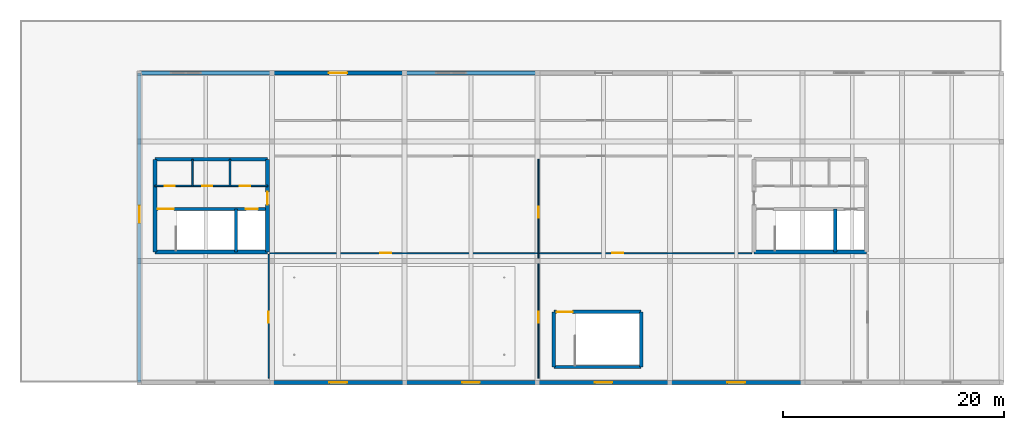
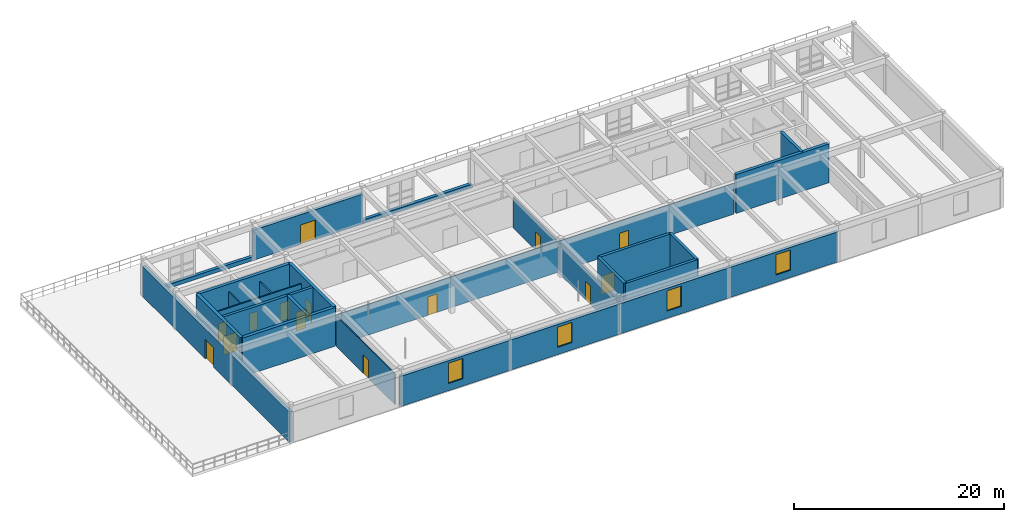
# One storey, part 12 of 15: 26 walls, 14 doors, 4 windows, 18 openings.
"""IFC4 building model written with IfcOpenShell, lengths in metres."""

from ifc_helpers import new_model, si_unit, derived_unit, direction, frame, frame_2d, origin, place, context, subcontext, project, spatial, rectangle, extrude, material, layer, layer_set, type_object, element, fill, save


model = new_model("IFC4")

# Units and contexts
model_context = context("Model", 3, precision=1e-05, world=origin(), true_north=direction((0.0, 1.0)))
body_context = subcontext(model_context, "Body", "Model", "MODEL_VIEW")
ifc_project = project(units=[si_unit("LENGTHUNIT", "METRE"), si_unit("AREAUNIT", "SQUARE_METRE"), si_unit("VOLUMEUNIT", "CUBIC_METRE"), si_unit("PLANEANGLEUNIT", "RADIAN"), si_unit("MASSUNIT", "GRAM", prefix="KILO"), derived_unit("THERMALTRANSMITTANCEUNIT", [(si_unit("POWERUNIT", "WATT"), 1), (si_unit("LENGTHUNIT", "METRE"), -2), (si_unit("THERMODYNAMICTEMPERATUREUNIT", "KELVIN"), -1)])], contexts=[model_context])

# Site, building, storey
site_placement = place(None, origin())
site = spatial("IfcSite", under=ifc_project, at=site_placement, CompositionType="ELEMENT")
building_placement = place(site_placement, origin())
building = spatial("IfcBuilding", under=site, at=building_placement, Name="Almenara Railside Exhibition Hall", CompositionType="ELEMENT")
storey_placement = place(building_placement, frame((0.0, 0.0, 16.199951171875)))
storey = spatial("IfcBuildingStorey", under=building, at=storey_placement, Name="L03", CompositionType="ELEMENT", Elevation=16.199951171875)

# Walls
ifc_material_1 = material(Name="Concrete C35/45", Category="concrete")
ifc_layer_1 = layer(ifc_material_1, 0.35009765625, Name="Concrete C35/45")
ifc_layer_set_1 = layer_set([ifc_layer_1], Name="Concrete C35/45")
wall_type_1 = type_object("IfcWallType", Name="Core Coupled Shear Wall 350mm C35/45", PredefinedType="SHEAR", material=ifc_layer_set_1)
for number, where, z_axis, x_axis, name in (
    (1, (127.39990234375, 11.800048828125, 0.0), (0.0, 0.0, 1.0), (1.0, 0.0, 0.0), "Interior wall 0136"),
    (2, (137.60009765625, 20.199951171875, 0.0), (0.0, 0.0, 1.0), (-1.0, 0.0, 0.0), "Interior wall 0137"),
):
    element("IfcWall", number, at=place(storey_placement, frame(where, z_axis=z_axis, x_axis=x_axis)), inside=storey, type_object=wall_type_1, Name=name, PredefinedType="SHEAR", context=body_context, shape_type="SweptSolid", body=[
        extrude(rectangle(XDim=10.2001953125, YDim=0.35009765625, at=frame_2d((5.10009765625, 0.0))), origin(), (0.0, 0.0, 1.0), 4.5),
    ])
wall_1_placement = place(storey_placement, frame((127.39990234375, 20.199951171875, 0.0), z_axis=(0.0, 0.0, 1.0), x_axis=(0.0, -1.0, 0.0)))
element("IfcWall", 3, at=wall_1_placement, inside=storey, type_object=wall_type_1, Name="Interior wall 0138", PredefinedType="SHEAR", context=body_context, shape_type="SweptSolid", body=[
    extrude(rectangle(XDim=8.39990234375, YDim=0.35009765625, at=frame_2d((4.199951171875, 0.0))), origin(), (0.0, 0.0, 1.0), 4.5),
])

# Wall, opening, door
wall_2_placement = place(storey_placement, frame((137.60009765625, 11.800048828125, 0.0), z_axis=(0.0, 0.0, 1.0), x_axis=(0.0, 1.0, 0.0)))
wall_2 = element("IfcWall", 4, at=wall_2_placement, inside=storey, type_object=wall_type_1, Name="Interior wall 0139", PredefinedType="SHEAR", context=body_context, shape_type="SweptSolid", body=[
    extrude(rectangle(XDim=8.39990234375, YDim=0.35009765625, at=frame_2d((4.199951171875, 0.0))), origin(), (0.0, 0.0, 1.0), 4.5),
])
opening_1_placement = place(wall_2_placement, frame((4.300048828125, 0.0, 0.0)))
opening_1 = element("IfcOpeningElement", 5, at=opening_1_placement, cuts=wall_2, Name="Opening FD-115", PredefinedType="OPENING", context=body_context, shape_type="SweptSolid", body=[
    extrude(rectangle(XDim=1.14990234375, YDim=2.14990234375, at=frame_2d((0.574951171875, 1.074951171875))), frame((0.0, 0.18505859375, 0.0), z_axis=(0.0, -1.0, 0.0), x_axis=(1.0, 0.0, 0.0)), (0.0, 0.0, 1.0), 0.3701171875),
])
ifc_material_2 = material(Name="Fire-rated iroko timber door", Category="wood")
door_type_1 = type_object("IfcDoorType", Name="Core Lobby Fire Door 1150x2150 EI60", OperationType="NOTDEFINED", PredefinedType="DOOR", material=ifc_material_2)
door_1_placement = place(opening_1_placement, origin())
door_1 = element("IfcDoor", 6, at=door_1_placement, inside=storey, type_object=door_type_1, Name="Interior door FD-115-091", OperationType="SINGLE_SWING_LEFT", OverallHeight=2.14990234375, OverallWidth=1.14990234375, PredefinedType="DOOR", context=body_context, shape_type="SweptSolid", body=[
    extrude(rectangle(XDim=1.14990234375, YDim=2.14990234375, at=frame_2d((0.574951171875, 1.074951171875))), frame((0.0, 0.02490234375, 0.0), z_axis=(0.0, -1.0, 0.0), x_axis=(1.0, 0.0, 0.0)), (0.0, 0.0, 1.0), 0.050048828125),
])
fill(opening_1, door_1)

# Walls
wall_3_placement = place(storey_placement, frame((181.60009765625, 11.800048828125, 0.0), z_axis=(0.0, 0.0, 1.0), x_axis=(1.0, 0.0, 0.0)))
element("IfcWall", 7, at=wall_3_placement, inside=storey, type_object=wall_type_1, Name="Interior wall 0181", PredefinedType="SHEAR", context=body_context, shape_type="SweptSolid", body=[
    extrude(rectangle(XDim=10.199951171875, YDim=0.35009765625, at=frame_2d((5.10009765625, 0.0))), origin(), (0.0, 0.0, 1.0), 4.5),
])
ifc_material_3 = material(Name="Ochre-white lime-rendered masonry over Concrete C35/45", Category="masonry")
ifc_layer_2 = layer(ifc_material_3, 0.3349609375, Name="Ochre-white lime-rendered masonry over Concrete C35/45")
ifc_layer_set_2 = layer_set([ifc_layer_2], Name="Ochre-white lime-rendered masonry over Concrete C35/45")
wall_type_2 = type_object("IfcWallType", Name="Exterior Belvedere Wall 335mm C35/45", PredefinedType="SOLIDWALL", material=ifc_layer_set_2)
wall_4_placement = place(storey_placement, frame((138.0, 28.0, 0.0), z_axis=(0.0, 0.0, 1.0), x_axis=(-1.0, 0.0, 0.0)))
element("IfcWall", 8, at=wall_4_placement, inside=storey, type_object=wall_type_2, Name="Exterior wall 0281", PredefinedType="SOLIDWALL", context=body_context, shape_type="SweptSolid", body=[
    extrude(rectangle(XDim=12.0, YDim=0.3349609375, at=frame_2d((6.0, 0.0))), origin(), (0.0, 0.0, 1.0), 0.449951171875),
])

# Wall, opening, window
wall_5_placement = place(storey_placement, frame((138.0, 0.0, 0.0), z_axis=(0.0, 0.0, 1.0), x_axis=(1.0, 0.0, 0.0)))
wall_5 = element("IfcWall", 9, at=wall_5_placement, inside=storey, type_object=wall_type_2, Name="Exterior wall 0282", PredefinedType="SOLIDWALL", context=body_context, shape_type="SweptSolid", body=[
    extrude(rectangle(XDim=12.0, YDim=0.3349609375, at=frame_2d((6.0, 0.0))), origin(), (0.0, 0.0, 1.0), 3.5),
])
opening_2_placement = place(wall_5_placement, frame((5.199951171875, 0.0, 0.85009765625)))
opening_2 = element("IfcOpeningElement", 10, at=opening_2_placement, cuts=wall_5, Name="Opening W-07", PredefinedType="OPENING", context=body_context, shape_type="SweptSolid", body=[
    extrude(rectangle(XDim=1.60009765625, YDim=2.35009765625, at=frame_2d((0.800048828125, 1.175048828125))), frame((0.0, 0.177490234375, 0.0), z_axis=(0.0, -1.0, 0.0), x_axis=(1.0, 0.0, 0.0)), (0.0, 0.0, 1.0), 0.35498046875),
])
ifc_material_4 = material(Name="Bronze-anodised aluminium and low-E double glazing", Category="aluminium")
window_type = type_object("IfcWindowType", Name="Belvedere Casement Window 1600x2350", PartitioningType="DOUBLE_PANEL_VERTICAL", PredefinedType="WINDOW", material=ifc_material_4)
window_1_placement = place(opening_2_placement, origin())
window_1 = element("IfcWindow", 11, at=window_1_placement, inside=storey, type_object=window_type, Name="Window 0124", OverallHeight=2.35009765625, OverallWidth=1.60009765625, PartitioningType="DOUBLE_PANEL_VERTICAL", PredefinedType="WINDOW", context=body_context, shape_type="SweptSolid", body=[
    extrude(rectangle(XDim=1.60009765625, YDim=2.35009765625, at=frame_2d((0.800048828125, 1.175048828125))), frame((0.0, 0.030029296875, 0.0), z_axis=(0.0, -1.0, 0.0), x_axis=(1.0, 0.0, 0.0)), (0.0, 0.0, 1.0), 0.06005859375),
])
fill(opening_2, window_1)

# Wall, opening, door
wall_6_placement = place(storey_placement, frame((150.0, 28.0, 0.0), z_axis=(0.0, 0.0, 1.0), x_axis=(-1.0, 0.0, 0.0)))
wall_6 = element("IfcWall", 12, at=wall_6_placement, inside=storey, type_object=wall_type_2, Name="Exterior wall 0283", PredefinedType="SOLIDWALL", context=body_context, shape_type="SweptSolid", body=[
    extrude(rectangle(XDim=12.0, YDim=0.3349609375, at=frame_2d((6.0, 0.0))), origin(), (0.0, 0.0, 1.0), 3.5),
])
opening_3_placement = place(wall_6_placement, frame((5.199951171875, 0.0, 0.0)))
opening_3 = element("IfcOpeningElement", 13, at=opening_3_placement, cuts=wall_6, Name="Opening TD-03", PredefinedType="OPENING", context=body_context, shape_type="SweptSolid", body=[
    extrude(rectangle(XDim=1.64990234375, YDim=2.300048828125, at=frame_2d((0.824951171875, 1.14990234375))), frame((0.0, 0.177490234375, 0.0), z_axis=(0.0, -1.0, 0.0), x_axis=(1.0, 0.0, 0.0)), (0.0, 0.0, 1.0), 0.35498046875),
])
ifc_material_5 = material(Name="Bronze-anodised glazed terrace door")
door_type_2 = type_object("IfcDoorType", Name="Roof Garden Glazed Terrace Door 1650x2300", OperationType="NOTDEFINED", PredefinedType="DOOR", material=ifc_material_5)
door_2_placement = place(opening_3_placement, origin())
door_2 = element("IfcDoor", 14, at=door_2_placement, inside=storey, type_object=door_type_2, Name="Exterior door TD-03", OperationType="DOUBLE_DOOR_SINGLE_SWING", OverallHeight=2.300048828125, OverallWidth=1.64990234375, PredefinedType="DOOR", context=body_context, shape_type="SweptSolid", body=[
    extrude(rectangle(XDim=1.64990234375, YDim=2.300048828125, at=frame_2d((0.824951171875, 1.14990234375))), frame((0.0, 0.02490234375, 0.0), z_axis=(0.0, -1.0, 0.0), x_axis=(1.0, 0.0, 0.0)), (0.0, 0.0, 1.0), 0.050048828125),
])
fill(opening_3, door_2)

# Wall, opening, window
wall_7_placement = place(storey_placement, frame((150.0, 0.0, 0.0), z_axis=(0.0, 0.0, 1.0), x_axis=(1.0, 0.0, 0.0)))
wall_7 = element("IfcWall", 15, at=wall_7_placement, inside=storey, type_object=wall_type_2, Name="Exterior wall 0284", PredefinedType="SOLIDWALL", context=body_context, shape_type="SweptSolid", body=[
    extrude(rectangle(XDim=12.0, YDim=0.3349609375, at=frame_2d((6.0, 0.0))), origin(), (0.0, 0.0, 1.0), 3.5),
])
opening_4_placement = place(wall_7_placement, frame((5.199951171875, 0.0, 0.85009765625)))
opening_4 = element("IfcOpeningElement", 16, at=opening_4_placement, cuts=wall_7, Name="Opening W-07", PredefinedType="OPENING", context=body_context, shape_type="SweptSolid", body=[
    extrude(rectangle(XDim=1.60009765625, YDim=2.35009765625, at=frame_2d((0.800048828125, 1.175048828125))), frame((0.0, 0.177490234375, 0.0), z_axis=(0.0, -1.0, 0.0), x_axis=(1.0, 0.0, 0.0)), (0.0, 0.0, 1.0), 0.35498046875),
])
window_2_placement = place(opening_4_placement, origin())
window_2 = element("IfcWindow", 17, at=window_2_placement, inside=storey, type_object=window_type, Name="Window 0125", OverallHeight=2.35009765625, OverallWidth=1.60009765625, PartitioningType="DOUBLE_PANEL_VERTICAL", PredefinedType="WINDOW", context=body_context, shape_type="SweptSolid", body=[
    extrude(rectangle(XDim=1.60009765625, YDim=2.35009765625, at=frame_2d((0.800048828125, 1.175048828125))), frame((0.0, 0.030029296875, 0.0), z_axis=(0.0, -1.0, 0.0), x_axis=(1.0, 0.0, 0.0)), (0.0, 0.0, 1.0), 0.06005859375),
])
fill(opening_4, window_2)

# Wall
wall_8_placement = place(storey_placement, frame((162.0, 28.0, 0.0), z_axis=(0.0, 0.0, 1.0), x_axis=(-1.0, 0.0, 0.0)))
element("IfcWall", 18, at=wall_8_placement, inside=storey, type_object=wall_type_2, Name="Exterior wall 0285", PredefinedType="SOLIDWALL", context=body_context, shape_type="SweptSolid", body=[
    extrude(rectangle(XDim=12.0, YDim=0.3349609375, at=frame_2d((6.0, 0.0))), origin(), (0.0, 0.0, 1.0), 0.449951171875),
])

# Wall, opening, window
wall_9_placement = place(storey_placement, frame((162.0, 0.0, 0.0), z_axis=(0.0, 0.0, 1.0), x_axis=(1.0, 0.0, 0.0)))
wall_9 = element("IfcWall", 19, at=wall_9_placement, inside=storey, type_object=wall_type_2, Name="Exterior wall 0286", PredefinedType="SOLIDWALL", context=body_context, shape_type="SweptSolid", body=[
    extrude(rectangle(XDim=12.0, YDim=0.3349609375, at=frame_2d((6.0, 0.0))), origin(), (0.0, 0.0, 1.0), 3.5),
])
opening_5_placement = place(wall_9_placement, frame((5.199951171875, 0.0, 0.85009765625)))
opening_5 = element("IfcOpeningElement", 20, at=opening_5_placement, cuts=wall_9, Name="Opening W-07", PredefinedType="OPENING", context=body_context, shape_type="SweptSolid", body=[
    extrude(rectangle(XDim=1.60009765625, YDim=2.35009765625, at=frame_2d((0.800048828125, 1.175048828125))), frame((0.0, 0.177490234375, 0.0), z_axis=(0.0, -1.0, 0.0), x_axis=(1.0, 0.0, 0.0)), (0.0, 0.0, 1.0), 0.35498046875),
])
window_3_placement = place(opening_5_placement, origin())
window_3 = element("IfcWindow", 21, at=window_3_placement, inside=storey, type_object=window_type, Name="Window 0126", OverallHeight=2.35009765625, OverallWidth=1.60009765625, PartitioningType="DOUBLE_PANEL_VERTICAL", PredefinedType="WINDOW", context=body_context, shape_type="SweptSolid", body=[
    extrude(rectangle(XDim=1.60009765625, YDim=2.35009765625, at=frame_2d((0.800048828125, 1.175048828125))), frame((0.0, 0.030029296875, 0.0), z_axis=(0.0, -1.0, 0.0), x_axis=(1.0, 0.0, 0.0)), (0.0, 0.0, 1.0), 0.06005859375),
])
fill(opening_5, window_3)

wall_10_placement = place(storey_placement, frame((174.0, 0.0, 0.0), z_axis=(0.0, 0.0, 1.0), x_axis=(1.0, 0.0, 0.0)))
wall_10 = element("IfcWall", 22, at=wall_10_placement, inside=storey, type_object=wall_type_2, Name="Exterior wall 0288", PredefinedType="SOLIDWALL", context=body_context, shape_type="SweptSolid", body=[
    extrude(rectangle(XDim=12.0, YDim=0.3349609375, at=frame_2d((6.0, 0.0))), origin(), (0.0, 0.0, 1.0), 3.5),
])
opening_6_placement = place(wall_10_placement, frame((5.199951171875, 0.0, 0.85009765625)))
opening_6 = element("IfcOpeningElement", 23, at=opening_6_placement, cuts=wall_10, Name="Opening W-07", PredefinedType="OPENING", context=body_context, shape_type="SweptSolid", body=[
    extrude(rectangle(XDim=1.60009765625, YDim=2.35009765625, at=frame_2d((0.800048828125, 1.175048828125))), frame((0.0, 0.177490234375, 0.0), z_axis=(0.0, -1.0, 0.0), x_axis=(1.0, 0.0, 0.0)), (0.0, 0.0, 1.0), 0.35498046875),
])
window_4_placement = place(opening_6_placement, origin())
window_4 = element("IfcWindow", 24, at=window_4_placement, inside=storey, type_object=window_type, Name="Window 0127", OverallHeight=2.35009765625, OverallWidth=1.60009765625, PartitioningType="DOUBLE_PANEL_VERTICAL", PredefinedType="WINDOW", context=body_context, shape_type="SweptSolid", body=[
    extrude(rectangle(XDim=1.60009765625, YDim=2.35009765625, at=frame_2d((0.800048828125, 1.175048828125))), frame((0.0, 0.030029296875, 0.0), z_axis=(0.0, -1.0, 0.0), x_axis=(1.0, 0.0, 0.0)), (0.0, 0.0, 1.0), 0.06005859375),
])
fill(opening_6, window_4)

# Wall, opening, door
wall_11_placement = place(storey_placement, frame((126.0, 28.0, 0.0), z_axis=(0.0, 0.0, 1.0), x_axis=(0.0, -1.0, 0.0)))
wall_11 = element("IfcWall", 25, at=wall_11_placement, inside=storey, type_object=wall_type_2, Name="Exterior wall 0294", PredefinedType="SOLIDWALL", context=body_context, shape_type="SweptSolid", body=[
    extrude(rectangle(XDim=28.0, YDim=0.3349609375, at=frame_2d((14.0, 0.0))), origin(), (0.0, 0.0, 1.0), 3.5),
])
opening_7_placement = place(wall_11_placement, frame((12.0, 0.0, 0.0)))
opening_7 = element("IfcOpeningElement", 26, at=opening_7_placement, cuts=wall_11, Name="Opening TD-06", PredefinedType="OPENING", context=body_context, shape_type="SweptSolid", body=[
    extrude(rectangle(XDim=1.550048828125, YDim=2.25, at=frame_2d((0.77490234375, 1.125))), frame((0.0, 0.177490234375, 0.0), z_axis=(0.0, -1.0, 0.0), x_axis=(1.0, 0.0, 0.0)), (0.0, 0.0, 1.0), 0.35498046875),
])
door_type_3 = type_object("IfcDoorType", Name="Belvedere Terrace Double Door 1550x2250", OperationType="NOTDEFINED", PredefinedType="DOOR", material=ifc_material_5)
door_3_placement = place(opening_7_placement, origin())
door_3 = element("IfcDoor", 27, at=door_3_placement, inside=storey, type_object=door_type_3, Name="Exterior door TD-06", OperationType="DOUBLE_DOOR_SINGLE_SWING", OverallHeight=2.25, OverallWidth=1.550048828125, PredefinedType="DOOR", context=body_context, shape_type="SweptSolid", body=[
    extrude(rectangle(XDim=1.550048828125, YDim=2.25, at=frame_2d((0.77490234375, 1.125))), frame((0.0, 0.02490234375, 0.0), z_axis=(0.0, -1.0, 0.0), x_axis=(1.0, 0.0, 0.0)), (0.0, 0.0, 1.0), 0.050048828125),
])
fill(opening_7, door_3)

# Wall, openings, doors
ifc_material_6 = material(Name="Timber and laminated glass partition", Category="wood")
ifc_layer_3 = layer(ifc_material_6, 0.114990234375, Name="Timber and laminated glass partition")
ifc_layer_set_3 = layer_set([ifc_layer_3], Name="Timber and laminated glass partition")
wall_type_3 = type_object("IfcWallType", Name="Office Glazed Partition 115mm", PredefinedType="PARTITIONING", material=ifc_layer_set_3)
wall_12_placement = place(storey_placement, frame((162.10009765625, 0.39990234375, 0.0), z_axis=(0.0, 0.0, 1.0), x_axis=(0.0, 1.0, 0.0)))
wall_12 = element("IfcWall", 28, at=wall_12_placement, inside=storey, type_object=wall_type_3, Name="Interior wall 0392", PredefinedType="PARTITIONING", context=body_context, shape_type="SweptSolid", body=[
    extrude(rectangle(XDim=19.800048828125, YDim=0.114990234375, at=frame_2d((9.89990234375, 0.0))), origin(), (0.0, 0.0, 1.0), 3.56494140625),
])
opening_8_placement = place(wall_12_placement, frame((5.0, 0.0, 0.0)))
opening_8 = element("IfcOpeningElement", 29, at=opening_8_placement, cuts=wall_12, Name="Opening ID-10", PredefinedType="OPENING", context=body_context, shape_type="SweptSolid", body=[
    extrude(rectangle(XDim=1.0, YDim=2.14990234375, at=frame_2d((0.5, 1.074951171875))), frame((0.0, 0.0673828125, 0.0), z_axis=(0.0, -1.0, 0.0), x_axis=(1.0, 0.0, 0.0)), (0.0, 0.0, 1.0), 0.135009765625),
])
opening_9_placement = place(wall_12_placement, frame((14.5, 0.0, 0.0)))
opening_9 = element("IfcOpeningElement", 30, at=opening_9_placement, cuts=wall_12, Name="Opening ID-10", PredefinedType="OPENING", context=body_context, shape_type="SweptSolid", body=[
    extrude(rectangle(XDim=1.0, YDim=2.14990234375, at=frame_2d((0.5, 1.074951171875))), frame((0.0, 0.0673828125, 0.0), z_axis=(0.0, -1.0, 0.0), x_axis=(1.0, 0.0, 0.0)), (0.0, 0.0, 1.0), 0.135009765625),
])
ifc_material_7 = material(Name="Iroko hardwood single door", Category="wood")
door_type_4 = type_object("IfcDoorType", Name="Standard Room Single Door 1000x2150", OperationType="NOTDEFINED", PredefinedType="DOOR", material=ifc_material_7)
door_4_placement = place(opening_8_placement, origin())
door_4 = element("IfcDoor", 31, at=door_4_placement, inside=storey, type_object=door_type_4, Name="Interior door ID-10-272", OperationType="SINGLE_SWING_LEFT", OverallHeight=2.14990234375, OverallWidth=1.0, PredefinedType="DOOR", context=body_context, shape_type="SweptSolid", body=[
    extrude(rectangle(XDim=1.0, YDim=2.14990234375, at=frame_2d((0.5, 1.074951171875))), frame((0.0, 0.02490234375, 0.0), z_axis=(0.0, -1.0, 0.0), x_axis=(1.0, 0.0, 0.0)), (0.0, 0.0, 1.0), 0.050048828125),
])
fill(opening_8, door_4)
door_5_placement = place(opening_9_placement, origin())
door_5 = element("IfcDoor", 32, at=door_5_placement, inside=storey, type_object=door_type_4, Name="Interior door ID-10-273", OperationType="SINGLE_SWING_RIGHT", OverallHeight=2.14990234375, OverallWidth=1.0, PredefinedType="DOOR", context=body_context, shape_type="SweptSolid", body=[
    extrude(rectangle(XDim=1.0, YDim=2.14990234375, at=frame_2d((0.5, 1.074951171875))), frame((0.0, 0.02490234375, 0.0), z_axis=(0.0, -1.0, 0.0), x_axis=(1.0, 0.0, 0.0)), (0.0, 0.0, 1.0), 0.050048828125),
])
fill(opening_9, door_5)

wall_13_placement = place(storey_placement, frame((137.800048828125, 11.699951171875, 0.0), z_axis=(0.0, 0.0, 1.0), x_axis=(1.0, 0.0, 0.0)))
wall_13 = element("IfcWall", 33, at=wall_13_placement, inside=storey, type_object=wall_type_3, Name="Interior wall 0393", PredefinedType="PARTITIONING", context=body_context, shape_type="SweptSolid", body=[
    extrude(rectangle(XDim=43.599853515625, YDim=0.114990234375, at=frame_2d((21.7998046875, 0.0))), origin(), (0.0, 0.0, 1.0), 3.56494140625),
])
opening_10_placement = place(wall_13_placement, frame((10.0, 0.0, 0.0)))
opening_10 = element("IfcOpeningElement", 34, at=opening_10_placement, cuts=wall_13, Name="Opening ID-10", PredefinedType="OPENING", context=body_context, shape_type="SweptSolid", body=[
    extrude(rectangle(XDim=1.0, YDim=2.14990234375, at=frame_2d((0.5, 1.074951171875))), frame((0.0, 0.0673828125, 0.0), z_axis=(0.0, -1.0, 0.0), x_axis=(1.0, 0.0, 0.0)), (0.0, 0.0, 1.0), 0.135009765625),
])
opening_11_placement = place(wall_13_placement, frame((31.0, 0.0, 0.0)))
opening_11 = element("IfcOpeningElement", 35, at=opening_11_placement, cuts=wall_13, Name="Opening ID-10", PredefinedType="OPENING", context=body_context, shape_type="SweptSolid", body=[
    extrude(rectangle(XDim=1.0, YDim=2.14990234375, at=frame_2d((0.5, 1.074951171875))), frame((0.0, 0.0673828125, 0.0), z_axis=(0.0, -1.0, 0.0), x_axis=(1.0, 0.0, 0.0)), (0.0, 0.0, 1.0), 0.135009765625),
])
door_6_placement = place(opening_10_placement, origin())
door_6 = element("IfcDoor", 36, at=door_6_placement, inside=storey, type_object=door_type_4, Name="Interior door ID-10-274", OperationType="SINGLE_SWING_LEFT", OverallHeight=2.14990234375, OverallWidth=1.0, PredefinedType="DOOR", context=body_context, shape_type="SweptSolid", body=[
    extrude(rectangle(XDim=1.0, YDim=2.14990234375, at=frame_2d((0.5, 1.074951171875))), frame((0.0, 0.02490234375, 0.0), z_axis=(0.0, -1.0, 0.0), x_axis=(1.0, 0.0, 0.0)), (0.0, 0.0, 1.0), 0.050048828125),
])
fill(opening_10, door_6)
door_7_placement = place(opening_11_placement, origin())
door_7 = element("IfcDoor", 37, at=door_7_placement, inside=storey, type_object=door_type_4, Name="Interior door ID-10-275", OperationType="SINGLE_SWING_RIGHT", OverallHeight=2.14990234375, OverallWidth=1.0, PredefinedType="DOOR", context=body_context, shape_type="SweptSolid", body=[
    extrude(rectangle(XDim=1.0, YDim=2.14990234375, at=frame_2d((0.5, 1.074951171875))), frame((0.0, 0.02490234375, 0.0), z_axis=(0.0, -1.0, 0.0), x_axis=(1.0, 0.0, 0.0)), (0.0, 0.0, 1.0), 0.050048828125),
])
fill(opening_11, door_7)

# Wall, opening, door
wall_14_placement = place(storey_placement, frame((137.699951171875, 0.39990234375, 0.0), z_axis=(0.0, 0.0, 1.0), x_axis=(0.0, 1.0, 0.0)))
wall_14 = element("IfcWall", 38, at=wall_14_placement, inside=storey, type_object=wall_type_3, Name="Interior wall 0395", PredefinedType="PARTITIONING", context=body_context, shape_type="SweptSolid", body=[
    extrude(rectangle(XDim=11.2001953125, YDim=0.114990234375, at=frame_2d((5.60009765625, 0.0))), origin(), (0.0, 0.0, 1.0), 3.56494140625),
])
opening_12_placement = place(wall_14_placement, frame((5.0, 0.0, 0.0)))
opening_12 = element("IfcOpeningElement", 39, at=opening_12_placement, cuts=wall_14, Name="Opening ID-10", PredefinedType="OPENING", context=body_context, shape_type="SweptSolid", body=[
    extrude(rectangle(XDim=1.0, YDim=2.14990234375, at=frame_2d((0.5, 1.074951171875))), frame((0.0, 0.0673828125, 0.0), z_axis=(0.0, -1.0, 0.0), x_axis=(1.0, 0.0, 0.0)), (0.0, 0.0, 1.0), 0.135009765625),
])
door_8_placement = place(opening_12_placement, origin())
door_8 = element("IfcDoor", 40, at=door_8_placement, inside=storey, type_object=door_type_4, Name="Interior door ID-10-277", OperationType="SINGLE_SWING_RIGHT", OverallHeight=2.14990234375, OverallWidth=1.0, PredefinedType="DOOR", context=body_context, shape_type="SweptSolid", body=[
    extrude(rectangle(XDim=1.0, YDim=2.14990234375, at=frame_2d((0.5, 1.074951171875))), frame((0.0, 0.02490234375, 0.0), z_axis=(0.0, -1.0, 0.0), x_axis=(1.0, 0.0, 0.0)), (0.0, 0.0, 1.0), 0.050048828125),
])
fill(opening_12, door_8)

# Wall, openings, doors
ifc_material_8 = material(Name="Moisture-resistant tiled masonry partition", Category="masonry")
ifc_layer_4 = layer(ifc_material_8, 0.139892578125, Name="Moisture-resistant tiled masonry partition")
ifc_layer_set_4 = layer_set([ifc_layer_4], Name="Moisture-resistant tiled masonry partition")
wall_type_4 = type_object("IfcWallType", Name="Sanitary Wet-Wall Partition 140mm", PredefinedType="PARTITIONING", material=ifc_layer_set_4)
wall_15_placement = place(storey_placement, frame((127.39990234375, 17.800048828125, 0.0), z_axis=(0.0, 0.0, 1.0), x_axis=(1.0, 0.0, 0.0)))
wall_15 = element("IfcWall", 41, at=wall_15_placement, inside=storey, type_object=wall_type_4, Name="Interior wall 0142", PredefinedType="PARTITIONING", context=body_context, shape_type="SweptSolid", body=[
    extrude(rectangle(XDim=10.2001953125, YDim=0.139892578125, at=frame_2d((5.10009765625, 0.0))), origin(), (0.0, 0.0, 1.0), 3.60009765625),
])
opening_13_placement = place(wall_15_placement, frame((0.89990234375, 0.0, 0.0)))
opening_13 = element("IfcOpeningElement", 42, at=opening_13_placement, cuts=wall_15, Name="Opening ID-09", PredefinedType="OPENING", context=body_context, shape_type="SweptSolid", body=[
    extrude(rectangle(XDim=0.89990234375, YDim=2.10009765625, at=frame_2d((0.449951171875, 1.050048828125))), frame((0.0, 0.079833984375, 0.0), z_axis=(0.0, -1.0, 0.0), x_axis=(1.0, 0.0, 0.0)), (0.0, 0.0, 1.0), 0.159912109375),
])
opening_14_placement = place(wall_15_placement, frame((4.300048828125, 0.0, 0.0)))
opening_14 = element("IfcOpeningElement", 43, at=opening_14_placement, cuts=wall_15, Name="Opening ID-09", PredefinedType="OPENING", context=body_context, shape_type="SweptSolid", body=[
    extrude(rectangle(XDim=0.89990234375, YDim=2.10009765625, at=frame_2d((0.449951171875, 1.050048828125))), frame((0.0, 0.079833984375, 0.0), z_axis=(0.0, -1.0, 0.0), x_axis=(1.0, 0.0, 0.0)), (0.0, 0.0, 1.0), 0.159912109375),
])
opening_15_placement = place(wall_15_placement, frame((7.699951171875, 0.0, 0.0)))
opening_15 = element("IfcOpeningElement", 44, at=opening_15_placement, cuts=wall_15, Name="Opening ID-095", PredefinedType="OPENING", context=body_context, shape_type="SweptSolid", body=[
    extrude(rectangle(XDim=0.949951171875, YDim=2.10009765625, at=frame_2d((0.47509765625, 1.050048828125))), frame((0.0, 0.079833984375, 0.0), z_axis=(0.0, -1.0, 0.0), x_axis=(1.0, 0.0, 0.0)), (0.0, 0.0, 1.0), 0.159912109375),
])
ifc_material_9 = material(Name="Moisture-resistant hardwood door", Category="wood")
door_type_5 = type_object("IfcDoorType", Name="Accessible Toilet Door 950x2100", OperationType="NOTDEFINED", PredefinedType="DOOR", material=ifc_material_9)
door_9_placement = place(opening_15_placement, origin())
door_9 = element("IfcDoor", 45, at=door_9_placement, inside=storey, type_object=door_type_5, Name="Interior door ID-095-096", OperationType="SINGLE_SWING_RIGHT", OverallHeight=2.10009765625, OverallWidth=0.949951171875, PredefinedType="DOOR", context=body_context, shape_type="SweptSolid", body=[
    extrude(rectangle(XDim=0.949951171875, YDim=2.10009765625, at=frame_2d((0.47509765625, 1.050048828125))), frame((0.0, 0.02490234375, 0.0), z_axis=(0.0, -1.0, 0.0), x_axis=(1.0, 0.0, 0.0)), (0.0, 0.0, 1.0), 0.050048828125),
])
fill(opening_15, door_9)
door_type_6 = type_object("IfcDoorType", Name="Sanitary Lobby Single Door 900x2100", OperationType="NOTDEFINED", PredefinedType="DOOR", material=ifc_material_9)
door_10_placement = place(opening_13_placement, origin())
door_10 = element("IfcDoor", 46, at=door_10_placement, inside=storey, type_object=door_type_6, Name="Interior door ID-09-094", OperationType="SINGLE_SWING_RIGHT", OverallHeight=2.10009765625, OverallWidth=0.89990234375, PredefinedType="DOOR", context=body_context, shape_type="SweptSolid", body=[
    extrude(rectangle(XDim=0.89990234375, YDim=2.10009765625, at=frame_2d((0.449951171875, 1.050048828125))), frame((0.0, 0.02490234375, 0.0), z_axis=(0.0, -1.0, 0.0), x_axis=(1.0, 0.0, 0.0)), (0.0, 0.0, 1.0), 0.050048828125),
])
fill(opening_13, door_10)
door_11_placement = place(opening_14_placement, origin())
door_11 = element("IfcDoor", 47, at=door_11_placement, inside=storey, type_object=door_type_6, Name="Interior door ID-09-095", OperationType="SINGLE_SWING_LEFT", OverallHeight=2.10009765625, OverallWidth=0.89990234375, PredefinedType="DOOR", context=body_context, shape_type="SweptSolid", body=[
    extrude(rectangle(XDim=0.89990234375, YDim=2.10009765625, at=frame_2d((0.449951171875, 1.050048828125))), frame((0.0, 0.02490234375, 0.0), z_axis=(0.0, -1.0, 0.0), x_axis=(1.0, 0.0, 0.0)), (0.0, 0.0, 1.0), 0.050048828125),
])
fill(opening_14, door_11)

# Walls
for number, where, z_axis, x_axis, name in (
    (48, (130.800048828125, 17.800048828125, 0.0), (0.0, 0.0, 1.0), (0.0, 1.0, 0.0), "Interior wall 0143"),
    (49, (134.199951171875, 17.800048828125, 0.0), (0.0, 0.0, 1.0), (0.0, 1.0, 0.0), "Interior wall 0144"),
):
    element("IfcWall", number, at=place(storey_placement, frame(where, z_axis=z_axis, x_axis=x_axis)), inside=storey, type_object=wall_type_4, Name=name, PredefinedType="PARTITIONING", context=body_context, shape_type="SweptSolid", body=[
        extrude(rectangle(XDim=2.39990234375, YDim=0.139892578125, at=frame_2d((1.199951171875, 0.0))), origin(), (0.0, 0.0, 1.0), 3.60009765625),
    ])

# Wall, openings, doors
ifc_layer_5 = layer(ifc_material_1, 0.300048828125, Name="Concrete C35/45")
ifc_layer_set_5 = layer_set([ifc_layer_5], Name="Concrete C35/45")
wall_type_5 = type_object("IfcWallType", Name="Stair and Lift Shaft Wall 300mm C35/45", PredefinedType="SHEAR", material=ifc_layer_set_5)
wall_16_placement = place(storey_placement, frame((127.39990234375, 15.699951171875, 0.0), z_axis=(0.0, 0.0, 1.0), x_axis=(1.0, 0.0, 0.0)))
wall_16 = element("IfcWall", 50, at=wall_16_placement, inside=storey, type_object=wall_type_5, Name="Interior wall 0140", PredefinedType="SHEAR", context=body_context, shape_type="SweptSolid", body=[
    extrude(rectangle(XDim=10.2001953125, YDim=0.300048828125, at=frame_2d((5.10009765625, 0.0))), origin(), (0.0, 0.0, 1.0), 4.5),
])
opening_16_placement = place(wall_16_placement, frame((0.280029296875, 0.0, 0.0)))
opening_16 = element("IfcOpeningElement", 51, at=opening_16_placement, cuts=wall_16, Name="Opening FD-145", PredefinedType="OPENING", context=body_context, shape_type="SweptSolid", body=[
    extrude(rectangle(XDim=1.449951171875, YDim=2.14990234375, at=frame_2d((0.72509765625, 1.074951171875))), frame((0.0, 0.159912109375, 0.0), z_axis=(0.0, -1.0, 0.0), x_axis=(1.0, 0.0, 0.0)), (0.0, 0.0, 1.0), 0.320068359375),
])
opening_17_placement = place(wall_16_placement, frame((8.22509765625, 0.0, 0.0)))
opening_17 = element("IfcOpeningElement", 52, at=opening_17_placement, cuts=wall_16, Name="Opening LD-11-C5", PredefinedType="OPENING", context=body_context, shape_type="SweptSolid", body=[
    extrude(rectangle(XDim=1.10009765625, YDim=2.14990234375, at=frame_2d((0.550048828125, 1.074951171875))), frame((0.0, 0.159912109375, 0.0), z_axis=(0.0, -1.0, 0.0), x_axis=(1.0, 0.0, 0.0)), (0.0, 0.0, 1.0), 0.320068359375),
])
ifc_material_10 = material(Name="Steel-framed fire-rated timber door", Category="steel")
door_type_7 = type_object("IfcDoorType", Name="Fire Escape Stair Door 1450x2150 EI60", OperationType="NOTDEFINED", PredefinedType="DOOR", material=ifc_material_10)
door_12_placement = place(opening_16_placement, origin())
door_12 = element("IfcDoor", 53, at=door_12_placement, inside=storey, type_object=door_type_7, Name="Interior door FD-145-092", OperationType="DOUBLE_DOOR_SINGLE_SWING", OverallHeight=2.14990234375, OverallWidth=1.449951171875, PredefinedType="DOOR", context=body_context, shape_type="SweptSolid", body=[
    extrude(rectangle(XDim=1.449951171875, YDim=2.14990234375, at=frame_2d((0.72509765625, 1.074951171875))), frame((0.0, 0.02490234375, 0.0), z_axis=(0.0, -1.0, 0.0), x_axis=(1.0, 0.0, 0.0)), (0.0, 0.0, 1.0), 0.050048828125),
])
fill(opening_16, door_12)
ifc_material_11 = material(Name="Brushed bronze-stainless steel sliding landing door", Category="steel")
door_type_8 = type_object("IfcDoorType", Name="Passenger Lift Sliding Landing Door 1100x2150", OperationType="DOUBLE_DOOR_SLIDING", PredefinedType="DOOR", material=ifc_material_11)
door_13_placement = place(opening_17_placement, origin())
door_13 = element("IfcDoor", 54, at=door_13_placement, inside=storey, type_object=door_type_8, Name="Interior door LD-11-C5-093", OperationType="DOUBLE_DOOR_SLIDING", OverallHeight=2.14990234375, OverallWidth=1.10009765625, PredefinedType="DOOR", context=body_context, shape_type="SweptSolid", body=[
    extrude(rectangle(XDim=1.10009765625, YDim=2.14990234375, at=frame_2d((0.550048828125, 1.074951171875))), frame((0.0, 0.02490234375, 0.0), z_axis=(0.0, -1.0, 0.0), x_axis=(1.0, 0.0, 0.0)), (0.0, 0.0, 1.0), 0.050048828125),
])
fill(opening_17, door_13)

# Walls
for number, where, z_axis, x_axis, name in (
    (55, (134.75, 11.800048828125, 0.0), (0.0, 0.0, 1.0), (0.0, 1.0, 0.0), "Interior wall 0141"),
    (56, (188.949951171875, 11.800048828125, 0.0), (0.0, 0.0, 1.0), (0.0, 1.0, 0.0), "Interior wall 0186"),
):
    element("IfcWall", number, at=place(storey_placement, frame(where, z_axis=z_axis, x_axis=x_axis)), inside=storey, type_object=wall_type_5, Name=name, PredefinedType="SHEAR", context=body_context, shape_type="SweptSolid", body=[
        extrude(rectangle(XDim=3.89990234375, YDim=0.300048828125, at=frame_2d((1.949951171875, 0.0))), origin(), (0.0, 0.0, 1.0), 4.5),
    ])
wall_17_placement = place(storey_placement, frame((163.5, 1.39990234375, 0.0), z_axis=(0.0, 0.0, 1.0), x_axis=(1.0, 0.0, 0.0)))
element("IfcWall", 57, at=wall_17_placement, inside=storey, type_object=wall_type_5, Name="Interior wall 0328", PredefinedType="SHEAR", context=body_context, shape_type="SweptSolid", body=[
    extrude(rectangle(XDim=7.89990234375, YDim=0.300048828125, at=frame_2d((3.949951171875, 0.0))), origin(), (0.0, 0.0, 1.0), 4.5),
])

# Wall, opening, door
wall_18_placement = place(storey_placement, frame((171.39990234375, 6.39990234375, 0.0), z_axis=(0.0, 0.0, 1.0), x_axis=(-1.0, 0.0, 0.0)))
wall_18 = element("IfcWall", 58, at=wall_18_placement, inside=storey, type_object=wall_type_5, Name="Interior wall 0329", PredefinedType="SHEAR", context=body_context, shape_type="SweptSolid", body=[
    extrude(rectangle(XDim=7.89990234375, YDim=0.300048828125, at=frame_2d((3.949951171875, 0.0))), origin(), (0.0, 0.0, 1.0), 4.5),
])
opening_18_placement = place(wall_18_placement, frame((6.199951171875, 0.0, 0.0)))
opening_18 = element("IfcOpeningElement", 59, at=opening_18_placement, cuts=wall_18, Name="Opening FD-145", PredefinedType="OPENING", context=body_context, shape_type="SweptSolid", body=[
    extrude(rectangle(XDim=1.449951171875, YDim=2.14990234375, at=frame_2d((0.72509765625, 1.074951171875))), frame((0.0, 0.159912109375, 0.0), z_axis=(0.0, -1.0, 0.0), x_axis=(1.0, 0.0, 0.0)), (0.0, 0.0, 1.0), 0.320068359375),
])
door_14_placement = place(opening_18_placement, origin())
door_14 = element("IfcDoor", 60, at=door_14_placement, inside=storey, type_object=door_type_7, Name="Interior door FD-145-197", OperationType="DOUBLE_DOOR_SINGLE_SWING", OverallHeight=2.14990234375, OverallWidth=1.449951171875, PredefinedType="DOOR", context=body_context, shape_type="SweptSolid", body=[
    extrude(rectangle(XDim=1.449951171875, YDim=2.14990234375, at=frame_2d((0.72509765625, 1.074951171875))), frame((0.0, 0.02490234375, 0.0), z_axis=(0.0, -1.0, 0.0), x_axis=(1.0, 0.0, 0.0)), (0.0, 0.0, 1.0), 0.050048828125),
])
fill(opening_18, door_14)

# Walls
for number, where, z_axis, x_axis, name in (
    (61, (163.5, 6.39990234375, 0.0), (0.0, 0.0, 1.0), (0.0, -1.0, 0.0), "Interior wall 0330"),
    (62, (171.39990234375, 1.39990234375, 0.0), (0.0, 0.0, 1.0), (0.0, 1.0, 0.0), "Interior wall 0331"),
):
    element("IfcWall", number, at=place(storey_placement, frame(where, z_axis=z_axis, x_axis=x_axis)), inside=storey, type_object=wall_type_5, Name=name, PredefinedType="SHEAR", context=body_context, shape_type="SweptSolid", body=[
        extrude(rectangle(XDim=5.0, YDim=0.300048828125, at=frame_2d((2.5, 0.0))), origin(), (0.0, 0.0, 1.0), 4.5),
    ])

save(model, "model.ifc")
